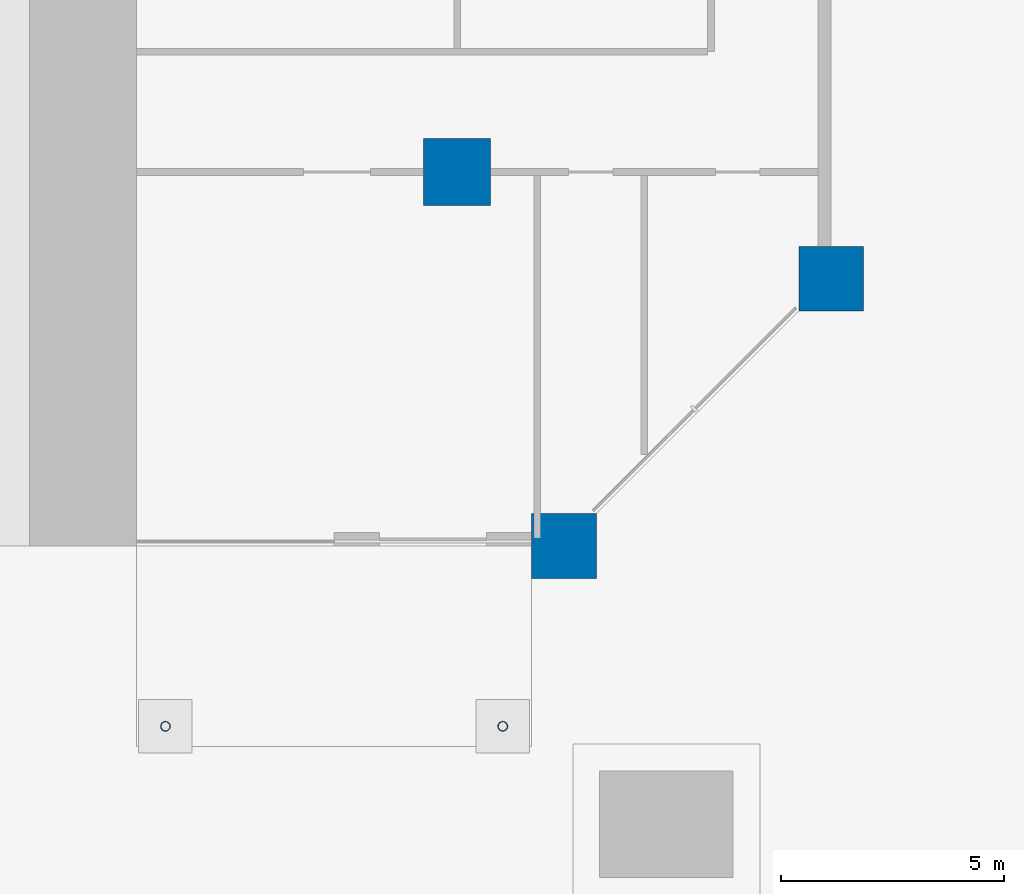
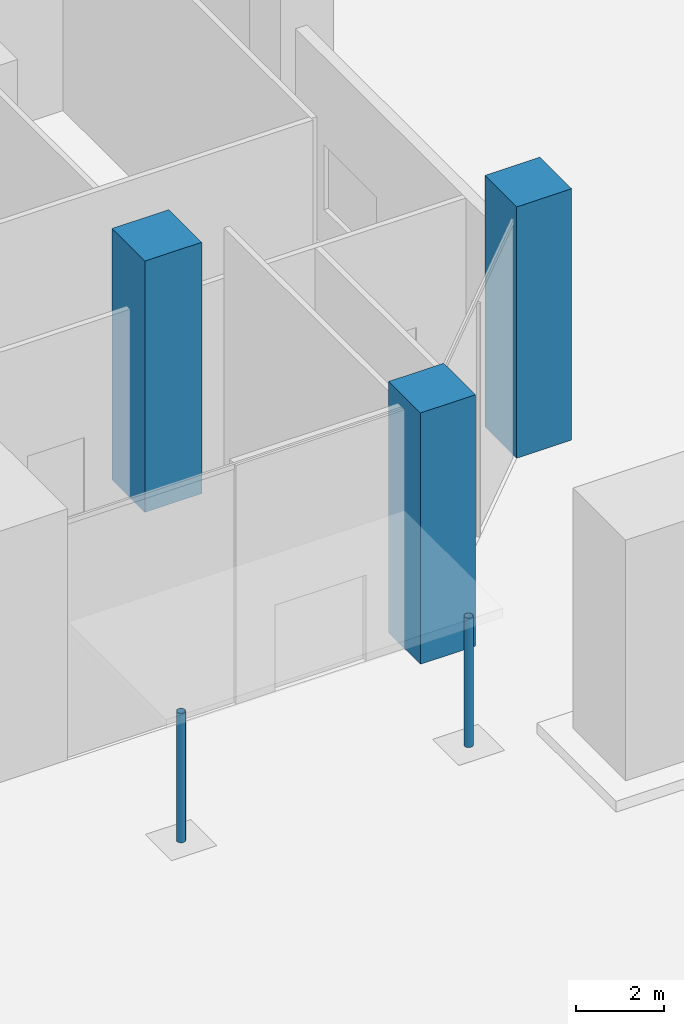
# One storey, part 8 of 32: 5 columns.
"""IFC4 building model written with IfcOpenShell, lengths in metres."""

from ifc_helpers import new_model, si_unit, direction, frame, origin, origin_2d, place, context, subcontext, project, spatial, rectangle, hollow_circle, extrude, material, material_profile, profile_set, type_object, element, save


model = new_model("IFC4")

# Units and contexts
model_context = context("Model", 3, precision=1e-05, world=origin(), true_north=direction((0.0, 1.0)))
body_context = subcontext(model_context, "Body", "Model", "MODEL_VIEW")
ifc_project = project(units=[si_unit("LENGTHUNIT", "METRE"), si_unit("AREAUNIT", "SQUARE_METRE"), si_unit("VOLUMEUNIT", "CUBIC_METRE"), si_unit("PLANEANGLEUNIT", "RADIAN"), si_unit("MASSUNIT", "GRAM", prefix="KILO")], contexts=[model_context])

# Site, building, storey
site_placement = place(None, origin())
site = spatial("IfcSite", under=ifc_project, at=site_placement, CompositionType="ELEMENT")
building_placement = place(site_placement, origin())
building = spatial("IfcBuilding", under=site, at=building_placement, Name="Kawkab Arch Medical Tower", CompositionType="ELEMENT")
storey_placement = place(building_placement, origin())
storey = spatial("IfcBuildingStorey", under=building, at=storey_placement, Name="L01", CompositionType="ELEMENT", Elevation=0.0)

# Columns
ifc_material_1 = material(Name="Steel S355", Category="steel")
ifc_material_profile_1 = material_profile(ifc_material_1, hollow_circle(Radius=0.109619140625, WallThickness=0.010009765625, at=origin_2d()), Name="CHS 219.1x10")
ifc_profile_set_1 = profile_set([ifc_material_profile_1], Name="Steel S355")
column_type_1 = type_object("IfcColumnType", Name="Canopy column CHS 219.1x10", PredefinedType="COLUMN", material=ifc_profile_set_1)
for number, where, z_axis, x_axis, name in (
    (1, (77.449951171875, -37.64990234375, 0.0), (0.0, 0.0, 1.0), (1.0, 0.0, 0.0), "Canopy, main entrance, pavilion column 1"),
    (2, (85.02490234375, -37.64990234375, 0.0), (0.0, 0.0, 1.0), (1.0, 0.0, 0.0), "Canopy, main entrance, pavilion column 2"),
):
    element("IfcColumn", number, at=place(storey_placement, frame(where, z_axis=z_axis, x_axis=x_axis)), inside=storey, type_object=column_type_1, Name=name, PredefinedType="COLUMN", context=body_context, shape_type="SweptSolid", body=[
        extrude(hollow_circle(Radius=0.109619140625, WallThickness=0.010009765625, at=origin_2d()), origin(), (0.0, 0.0, 1.0), 3.60009765625),
    ])
ifc_material_2 = material(Name="Concrete C60/75", Category="concrete")
ifc_material_profile_2 = material_profile(ifc_material_2, rectangle(XDim=1.449951171875, YDim=1.449951171875, at=origin_2d()), Name="RC 1450x1450")
ifc_profile_set_2 = profile_set([ifc_material_profile_2], Name="Concrete C60/75")
column_type_2 = type_object("IfcColumnType", Name="RC 1450x1450 column C60/75", PredefinedType="COLUMN", material=ifc_profile_set_2)
for number, where, z_axis, x_axis, name in (
    (3, (92.39990234375, -27.60009765625, 0.0), (0.0, 0.0, 1.0), (1.0, 0.0, 0.0), "Column RC 1450x1450"),
    (4, (86.39990234375, -33.60009765625, 0.0), (0.0, 0.0, 1.0), (1.0, 0.0, 0.0), "Column RC 1450x1450"),
):
    element("IfcColumn", number, at=place(storey_placement, frame(where, z_axis=z_axis, x_axis=x_axis)), inside=storey, type_object=column_type_2, Name=name, PredefinedType="COLUMN", context=body_context, shape_type="SweptSolid", body=[
        extrude(rectangle(XDim=1.449951171875, YDim=1.449951171875, at=origin_2d()), origin(), (0.0, 0.0, 1.0), 7.0),
    ])
ifc_material_3 = material(Name="Concrete C60/75", Category="concrete")
ifc_material_profile_3 = material_profile(ifc_material_3, rectangle(XDim=1.5, YDim=1.5, at=origin_2d()), Name="RC 1500x1500")
ifc_profile_set_3 = profile_set([ifc_material_profile_3], Name="Concrete C60/75")
column_type_3 = type_object("IfcColumnType", Name="RC 1500x1500 column C60/75", PredefinedType="COLUMN", material=ifc_profile_set_3)
column_placement = place(storey_placement, frame((84.0, -25.199951171875, 0.0), z_axis=(0.0, 0.0, 1.0), x_axis=(1.0, 0.0, 0.0)))
element("IfcColumn", 5, at=column_placement, inside=storey, type_object=column_type_3, Name="Column RC 1500x1500", PredefinedType="COLUMN", context=body_context, shape_type="SweptSolid", body=[
    extrude(rectangle(XDim=1.5, YDim=1.5, at=origin_2d()), origin(), (0.0, 0.0, 1.0), 7.0),
])

save(model, "model.ifc")
